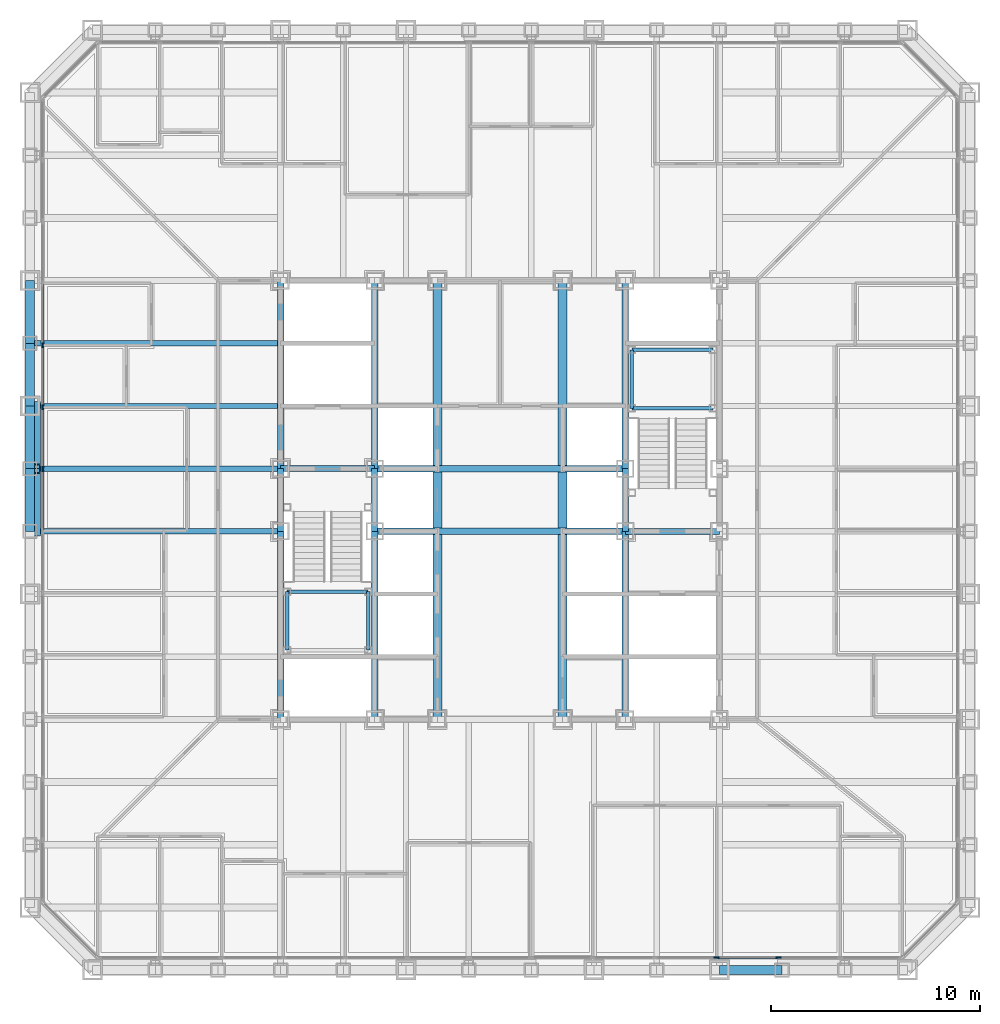
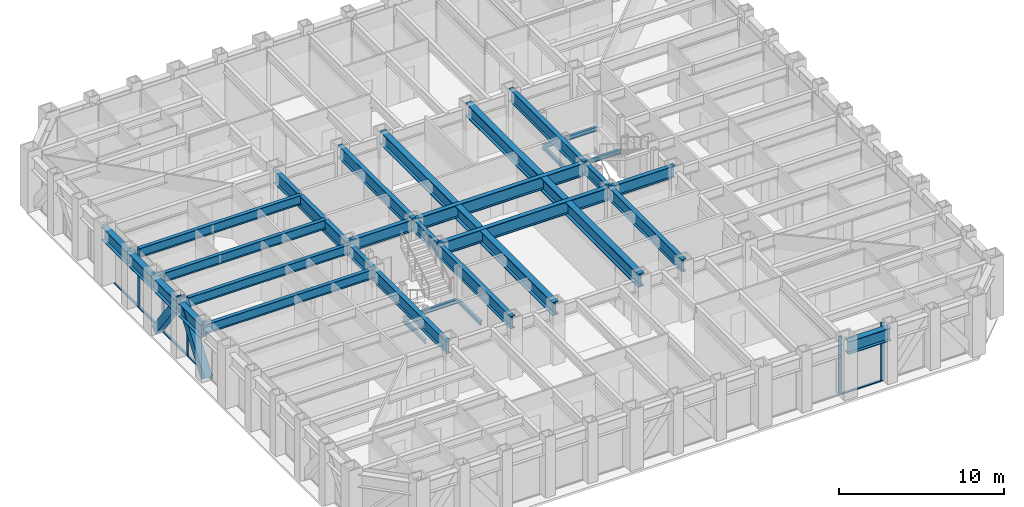
# One storey, part 3 of 17: 34 beams, 12 members, 2 elements without a shape of their own.
"""IFC4 building model written with IfcOpenShell, lengths in metres."""

from ifc_helpers import new_model, si_unit, direction, frame, origin, origin_2d, place, context, subcontext, project, spatial, rectangle, hollow_rectangle, i_section, extrude, material, layer, layer_set, material_profile, profile_set, type_object, element, aggregate, save


model = new_model("IFC4")

# Units and contexts
model_context = context("Model", 3, precision=1e-05, world=origin(), true_north=direction((0.0, 1.0)))
body_context = subcontext(model_context, "Body", "Model", "MODEL_VIEW")
ifc_project = project(units=[si_unit("LENGTHUNIT", "METRE"), si_unit("AREAUNIT", "SQUARE_METRE"), si_unit("VOLUMEUNIT", "CUBIC_METRE"), si_unit("PLANEANGLEUNIT", "RADIAN"), si_unit("MASSUNIT", "GRAM", prefix="KILO")], contexts=[model_context])

# Site, building, storey
site_placement = place(None, origin())
site = spatial("IfcSite", under=ifc_project, at=site_placement, CompositionType="ELEMENT")
building_placement = place(site_placement, origin())
building = spatial("IfcBuilding", under=site, at=building_placement, Name="Chuquiago Exchange Tower", CompositionType="ELEMENT")
storey_placement = place(building_placement, frame((0.0, 0.0, 42.300048828125)))
storey = spatial("IfcBuildingStorey", under=building, at=storey_placement, Name="L08", CompositionType="ELEMENT", Elevation=42.300048828125)

# Beams
ifc_material_1 = material(Name="Steel ASTM A992", Category="steel")
ifc_material_profile_1 = material_profile(ifc_material_1, i_section(OverallWidth=0.307373046875, OverallDepth=0.927001953125, WebThickness=0.01953125, FlangeThickness=0.031982421875, at=origin_2d()), Name="W36X194")
ifc_profile_set_1 = profile_set([ifc_material_profile_1], Name="Steel ASTM A992")
beam_type_1 = type_object("IfcBeamType", Name="B10 W36X194", PredefinedType="BEAM", material=ifc_profile_set_1)
for number, where, z_axis, x_axis, name in (
    (1, (12.0, 12.0, 3.576416015625), (0.0, 1.0, 0.0), (-1.0, 0.0, 0.0), "CB-L09-12_12-12_21"),
    (2, (12.0, 24.0, 3.576416015625), (0.0, 1.0, 0.0), (-1.0, 0.0, 0.0), "CB-L09-12_24-12_33"),
    (3, (16.5, 12.0, 3.87646484375), (0.0, 1.0, 0.0), (-1.0, 0.0, 0.0), "CB-L09-16.5_12-16.5_21"),
    (4, (16.5, 24.0, 3.87646484375), (0.0, 1.0, 0.0), (-1.0, 0.0, 0.0), "CB-L09-16.5_24-16.5_33"),
    (5, (28.5, 12.0, 3.87646484375), (0.0, 1.0, 0.0), (-1.0, 0.0, 0.0), "CB-L09-28.5_12-28.5_21"),
    (6, (28.5, 24.0, 3.87646484375), (0.0, 1.0, 0.0), (-1.0, 0.0, 0.0), "CB-L09-28.5_24-28.5_33"),
):
    element("IfcBeam", number, at=place(storey_placement, frame(where, z_axis=z_axis, x_axis=x_axis)), inside=storey, type_object=beam_type_1, Name=name, PredefinedType="BEAM", context=body_context, shape_type="SweptSolid", body=[
        extrude(i_section(OverallWidth=0.307373046875, OverallDepth=0.927001953125, WebThickness=0.01953125, FlangeThickness=0.031982421875, at=origin_2d()), origin(), (0.0, 0.0, 1.0), 9.0),
    ])
ifc_material_2 = material(Name="Steel ASTM A992", Category="steel")
ifc_material_profile_2 = material_profile(ifc_material_2, i_section(OverallWidth=0.309814453125, OverallDepth=0.949951171875, WebThickness=0.0244140625, FlangeThickness=0.0439453125, at=origin_2d()), Name="W36X256")
ifc_profile_set_2 = profile_set([ifc_material_profile_2], Name="Steel ASTM A992")
beam_type_2 = type_object("IfcBeamType", Name="B11 W36X256", PredefinedType="BEAM", material=ifc_profile_set_2)
for number, where, z_axis, x_axis, name in (
    (7, (16.5, 21.0, 3.864990234375), (1.0, 0.0, 0.0), (0.0, 1.0, 0.0), "CB-L09-16.5_21-28.5_21"),
    (8, (16.5, 24.0, 3.864990234375), (1.0, 0.0, 0.0), (0.0, 1.0, 0.0), "CB-L09-16.5_24-28.5_24"),
):
    element("IfcBeam", number, at=place(storey_placement, frame(where, z_axis=z_axis, x_axis=x_axis)), inside=storey, type_object=beam_type_2, Name=name, PredefinedType="BEAM", context=body_context, shape_type="SweptSolid", body=[
        extrude(i_section(OverallWidth=0.309814453125, OverallDepth=0.949951171875, WebThickness=0.0244140625, FlangeThickness=0.0439453125, at=origin_2d()), origin(), (0.0, 0.0, 1.0), 12.0),
    ])
ifc_material_3 = material(Name="Steel ASTM A992", Category="steel")
ifc_material_profile_3 = material_profile(ifc_material_3, i_section(OverallWidth=0.4267578125, OverallDepth=0.975341796875, WebThickness=0.031005859375, FlangeThickness=0.055908203125, at=origin_2d()), Name="W36X395")
ifc_profile_set_3 = profile_set([ifc_material_profile_3], Name="Steel ASTM A992")
beam_type_3 = type_object("IfcBeamType", Name="B12 W36X395", PredefinedType="BEAM", material=ifc_profile_set_3)
beam_1_placement = place(storey_placement, frame((19.5, 12.0, 3.852294921875), z_axis=(0.0, 1.0, 0.0), x_axis=(-1.0, 0.0, 0.0)))
element("IfcBeam", 9, at=beam_1_placement, inside=storey, type_object=beam_type_3, Name="CB-L09-19.5_12-19.5_20.8451", PredefinedType="BEAM", context=body_context, shape_type="SweptSolid", body=[
    extrude(i_section(OverallWidth=0.4267578125, OverallDepth=0.975341796875, WebThickness=0.031005859375, FlangeThickness=0.055908203125, at=origin_2d()), origin(), (0.0, 0.0, 1.0), 8.84521484375),
])
beam_2_placement = place(storey_placement, frame((19.5, 21.15478515625, 3.852294921875), z_axis=(0.0, 1.0, 0.0), x_axis=(-1.0, 0.0, 0.0)))
element("IfcBeam", 10, at=beam_2_placement, inside=storey, type_object=beam_type_3, Name="CB-L09-19.5_21.1549-19.5_23.8451", PredefinedType="BEAM", context=body_context, shape_type="SweptSolid", body=[
    extrude(i_section(OverallWidth=0.4267578125, OverallDepth=0.975341796875, WebThickness=0.031005859375, FlangeThickness=0.055908203125, at=origin_2d()), origin(), (0.0, 0.0, 1.0), 2.6904296875),
])
for number, where, z_axis, x_axis, name in (
    (11, (19.5, 24.15478515625, 3.852294921875), (0.0, 1.0, 0.0), (-1.0, 0.0, 0.0), "CB-L09-19.5_24.1549-19.5_33"),
    (12, (25.5, 12.0, 3.852294921875), (0.0, 1.0, 0.0), (-1.0, 0.0, 0.0), "CB-L09-25.5_12-25.5_20.8451"),
):
    element("IfcBeam", number, at=place(storey_placement, frame(where, z_axis=z_axis, x_axis=x_axis)), inside=storey, type_object=beam_type_3, Name=name, PredefinedType="BEAM", context=body_context, shape_type="SweptSolid", body=[
        extrude(i_section(OverallWidth=0.4267578125, OverallDepth=0.975341796875, WebThickness=0.031005859375, FlangeThickness=0.055908203125, at=origin_2d()), origin(), (0.0, 0.0, 1.0), 8.84521484375),
    ])
beam_3_placement = place(storey_placement, frame((25.5, 21.15478515625, 3.852294921875), z_axis=(0.0, 1.0, 0.0), x_axis=(-1.0, 0.0, 0.0)))
element("IfcBeam", 13, at=beam_3_placement, inside=storey, type_object=beam_type_3, Name="CB-L09-25.5_21.1549-25.5_23.8451", PredefinedType="BEAM", context=body_context, shape_type="SweptSolid", body=[
    extrude(i_section(OverallWidth=0.4267578125, OverallDepth=0.975341796875, WebThickness=0.031005859375, FlangeThickness=0.055908203125, at=origin_2d()), origin(), (0.0, 0.0, 1.0), 2.6904296875),
])
beam_4_placement = place(storey_placement, frame((25.5, 24.15478515625, 3.852294921875), z_axis=(0.0, 1.0, 0.0), x_axis=(-1.0, 0.0, 0.0)))
element("IfcBeam", 14, at=beam_4_placement, inside=storey, type_object=beam_type_3, Name="CB-L09-25.5_24.1549-25.5_33", PredefinedType="BEAM", context=body_context, shape_type="SweptSolid", body=[
    extrude(i_section(OverallWidth=0.4267578125, OverallDepth=0.975341796875, WebThickness=0.031005859375, FlangeThickness=0.055908203125, at=origin_2d()), origin(), (0.0, 0.0, 1.0), 8.84521484375),
])
ifc_material_4 = material(Name="Steel ASTM A992", Category="steel")
ifc_material_profile_4 = material_profile(ifc_material_4, i_section(OverallWidth=0.2919921875, OverallDepth=0.8583984375, WebThickness=0.01708984375, FlangeThickness=0.031005859375, at=origin_2d()), Name="W33X169")
ifc_profile_set_4 = profile_set([ifc_material_profile_4], Name="Steel ASTM A992")
beam_type_4 = type_object("IfcBeamType", Name="B3 W33X169", PredefinedType="BEAM", material=ifc_profile_set_4)
for number, where, z_axis, x_axis, name in (
    (15, (12.0, 21.0, 3.610595703125), (0.0, 1.0, 0.0), (-1.0, 0.0, 0.0), "CB-L09-12_21-12_24"),
    (16, (16.5, 21.0, 3.91064453125), (0.0, 1.0, 0.0), (-1.0, 0.0, 0.0), "CB-L09-16.5_21-16.5_24"),
    (17, (28.5, 21.0, 3.91064453125), (0.0, 1.0, 0.0), (-1.0, 0.0, 0.0), "CB-L09-28.5_21-28.5_24"),
):
    element("IfcBeam", number, at=place(storey_placement, frame(where, z_axis=z_axis, x_axis=x_axis)), inside=storey, type_object=beam_type_4, Name=name, PredefinedType="BEAM", context=body_context, shape_type="SweptSolid", body=[
        extrude(i_section(OverallWidth=0.2919921875, OverallDepth=0.8583984375, WebThickness=0.01708984375, FlangeThickness=0.031005859375, at=origin_2d()), origin(), (0.0, 0.0, 1.0), 3.0),
    ])
for number, where, z_axis, x_axis, name in (
    (18, (28.5, 21.0, 3.91064453125), (1.0, 0.0, 0.0), (0.0, 1.0, 0.0), "CB-L09-28.5_21-33_21"),
    (19, (12.0, 24.0, 3.91064453125), (1.0, 0.0, 0.0), (0.0, 1.0, 0.0), "CB-L09-12_24-16.5_24"),
):
    element("IfcBeam", number, at=place(storey_placement, frame(where, z_axis=z_axis, x_axis=x_axis)), inside=storey, type_object=beam_type_4, Name=name, PredefinedType="BEAM", context=body_context, shape_type="SweptSolid", body=[
        extrude(i_section(OverallWidth=0.2919921875, OverallDepth=0.8583984375, WebThickness=0.01708984375, FlangeThickness=0.031005859375, at=origin_2d()), origin(), (0.0, 0.0, 1.0), 4.5),
    ])
ifc_material_5 = material(Name="Steel ASTM A992", Category="steel")
ifc_material_profile_5 = material_profile(ifc_material_5, i_section(OverallWidth=0.256591796875, OverallDepth=0.693359375, WebThickness=0.014404296875, FlangeThickness=0.023681640625, at=origin_2d()), Name="W27X114")
ifc_profile_set_5 = profile_set([ifc_material_profile_5], Name="Steel ASTM A992")
beam_type_5 = type_object("IfcBeamType", Name="B4 W27X114", PredefinedType="BEAM", material=ifc_profile_set_5)
for number, where, z_axis, x_axis, name in (
    (20, (12.0, 21.0, 3.693359375), (-1.0, 0.0, 0.0), (0.0, -1.0, 0.0), "FB-L09-infill-12_21--0_21-0"),
    (21, (12.0, 24.0, 3.693359375), (-1.0, 0.0, 0.0), (0.0, -1.0, 0.0), "FB-L09-infill-12_24--0_24-0"),
    (22, (12.0, 27.0, 3.693359375), (-1.0, 0.0, 0.0), (0.0, -1.0, 0.0), "FB-L09-infill-12_27--0_27-0"),
    (23, (12.0, 30.0, 3.693359375), (-1.0, 0.0, 0.0), (0.0, -1.0, 0.0), "FB-L09-infill-12_30--0_30-0"),
):
    element("IfcBeam", number, at=place(storey_placement, frame(where, z_axis=z_axis, x_axis=x_axis)), inside=storey, type_object=beam_type_5, Name=name, PredefinedType="BEAM", context=body_context, shape_type="SweptSolid", body=[
        extrude(i_section(OverallWidth=0.256591796875, OverallDepth=0.693359375, WebThickness=0.014404296875, FlangeThickness=0.023681640625, at=origin_2d()), origin(), (0.0, 0.0, 1.0), 12.0),
    ])

# Curtain wall, members
ifc_material_6 = material(Name="Aluminium curtain wall system", Category="aluminium")
ifc_layer = layer(ifc_material_6, 0.25)
ifc_layer_set = layer_set([ifc_layer], Name="CW1 trading floor curtain wall")
curtain_wall_type = type_object("IfcCurtainWallType", Name="CW1 trading floor curtain wall", PredefinedType="NOTDEFINED", material=ifc_layer_set)
curtain_wall_1_placement = place(storey_placement, origin())
curtain_wall_1 = element("IfcCurtainWall", 24, at=curtain_wall_1_placement, inside=storey, type_object=curtain_wall_type, Name="CW1 curtain wall L08", PredefinedType="NOTDEFINED")
ifc_material_7 = material(Name="Aluminium mullion, pale anodised", Category="aluminium")
ifc_material_profile_6 = material_profile(ifc_material_7, rectangle(XDim=0.074951171875, YDim=0.25, at=origin_2d()), Name="AL 75x250")
ifc_profile_set_6 = profile_set([ifc_material_profile_6], Name="Aluminium mullion, pale anodised")
member_type_1 = type_object("IfcMemberType", Name="CW1-M mullion 75x250", PredefinedType="MULLION", material=ifc_profile_set_6)
member_1_placement = place(storey_placement, frame((32.8662109375, 0.60009765625, -0.300048828125), z_axis=(0.0, 0.0, 1.0), x_axis=(0.0, 1.0, 0.0)))
member_1 = element("IfcMember", 25, at=member_1_placement, type_object=member_type_1, Name="CW1 mullion 11", PredefinedType="MULLION", context=body_context, shape_type="SweptSolid", body=[
    extrude(rectangle(XDim=0.074951171875, YDim=0.25, at=origin_2d()), origin(), (0.0, 0.0, 1.0), 4.340087890625),
])
member_2_placement = place(storey_placement, frame((35.827880859375, 0.60009765625, -0.300048828125), z_axis=(0.0, 0.0, 1.0), x_axis=(0.0, 1.0, 0.0)))
member_2 = element("IfcMember", 26, at=member_2_placement, type_object=member_type_1, Name="CW1 mullion 12", PredefinedType="MULLION", context=body_context, shape_type="SweptSolid", body=[
    extrude(rectangle(XDim=0.074951171875, YDim=0.25, at=origin_2d()), origin(), (0.0, 0.0, 1.0), 4.340087890625),
])

curtain_wall_2_placement = place(storey_placement, origin())
curtain_wall_2 = element("IfcCurtainWall", 27, at=curtain_wall_2_placement, inside=storey, type_object=curtain_wall_type, Name="CW1 curtain wall L08", PredefinedType="NOTDEFINED")
member_3_placement = place(storey_placement, frame((0.60009765625, 29.904541015625, -0.300048828125), z_axis=(0.0, 0.0, 1.0), x_axis=(1.0, 0.0, 0.0)))
member_3 = element("IfcMember", 28, at=member_3_placement, type_object=member_type_1, Name="CW1 mullion 5", PredefinedType="MULLION", context=body_context, shape_type="SweptSolid", body=[
    extrude(rectangle(XDim=0.074951171875, YDim=0.25, at=origin_2d()), origin(), (0.0, 0.0, 1.0), 4.340087890625),
])
member_4_placement = place(storey_placement, frame((0.60009765625, 26.942626953125, -0.300048828125), z_axis=(0.0, 0.0, 1.0), x_axis=(1.0, 0.0, 0.0)))
member_4 = element("IfcMember", 29, at=member_4_placement, type_object=member_type_1, Name="CW1 mullion 6", PredefinedType="MULLION", context=body_context, shape_type="SweptSolid", body=[
    extrude(rectangle(XDim=0.074951171875, YDim=0.25, at=origin_2d()), origin(), (0.0, 0.0, 1.0), 4.340087890625),
])
member_5_placement = place(storey_placement, frame((0.60009765625, 23.98095703125, -0.300048828125), z_axis=(0.0, 0.0, 1.0), x_axis=(1.0, 0.0, 0.0)))
member_5 = element("IfcMember", 30, at=member_5_placement, type_object=member_type_1, Name="CW1 mullion 7", PredefinedType="MULLION", context=body_context, shape_type="SweptSolid", body=[
    extrude(rectangle(XDim=0.074951171875, YDim=0.25, at=origin_2d()), origin(), (0.0, 0.0, 1.0), 4.340087890625),
])

# Member
ifc_material_8 = material(Name="Aluminium transom, pale anodised", Category="aluminium")
ifc_material_profile_7 = material_profile(ifc_material_8, rectangle(XDim=0.14990234375, YDim=0.074951171875, at=origin_2d()), Name="AL 150x75")
ifc_profile_set_7 = profile_set([ifc_material_profile_7], Name="Aluminium transom, pale anodised")
member_type_2 = type_object("IfcMemberType", Name="CW1-T transom 75x150", PredefinedType="MULLION", material=ifc_profile_set_7)
member_6_placement = place(storey_placement, frame((32.90380859375, 0.60009765625, -0.262451171875), z_axis=(1.0, 0.0, 0.0), x_axis=(0.0, 1.0, 0.0)))
member_6 = element("IfcMember", 31, at=member_6_placement, type_object=member_type_2, Name="CW1 transom 11.1", PredefinedType="MULLION", context=body_context, shape_type="SweptSolid", body=[
    extrude(rectangle(XDim=0.14990234375, YDim=0.074951171875, at=origin_2d()), origin(), (0.0, 0.0, 1.0), 2.88671875),
])

aggregate(curtain_wall_1, [member_1, member_2, member_6])

member_7_placement = place(storey_placement, frame((0.60009765625, 32.82861328125, -0.262451171875), z_axis=(0.0, -1.0, 0.0), x_axis=(1.0, 0.0, 0.0)))
member_7 = element("IfcMember", 32, at=member_7_placement, type_object=member_type_2, Name="CW1 transom 4.1", PredefinedType="MULLION", context=body_context, shape_type="SweptSolid", body=[
    extrude(rectangle(XDim=0.14990234375, YDim=0.074951171875, at=origin_2d()), origin(), (0.0, 0.0, 1.0), 2.88671875),
])

member_8_placement = place(storey_placement, frame((0.60009765625, 29.866943359375, -0.262451171875), z_axis=(0.0, -1.0, 0.0), x_axis=(1.0, 0.0, 0.0)))
member_8 = element("IfcMember", 33, at=member_8_placement, type_object=member_type_2, Name="CW1 transom 5.1", PredefinedType="MULLION", context=body_context, shape_type="SweptSolid", body=[
    extrude(rectangle(XDim=0.14990234375, YDim=0.074951171875, at=origin_2d()), origin(), (0.0, 0.0, 1.0), 2.88671875),
])

member_9_placement = place(storey_placement, frame((0.60009765625, 26.9052734375, -0.262451171875), z_axis=(0.0, -1.0, 0.0), x_axis=(1.0, 0.0, 0.0)))
member_9 = element("IfcMember", 34, at=member_9_placement, type_object=member_type_2, Name="CW1 transom 6.1", PredefinedType="MULLION", context=body_context, shape_type="SweptSolid", body=[
    extrude(rectangle(XDim=0.14990234375, YDim=0.074951171875, at=origin_2d()), origin(), (0.0, 0.0, 1.0), 2.886962890625),
])

member_10_placement = place(storey_placement, frame((0.60009765625, 23.943359375, -0.262451171875), z_axis=(0.0, -1.0, 0.0), x_axis=(1.0, 0.0, 0.0)))
member_10 = element("IfcMember", 35, at=member_10_placement, type_object=member_type_2, Name="CW1 transom 7.1", PredefinedType="MULLION", context=body_context, shape_type="SweptSolid", body=[
    extrude(rectangle(XDim=0.14990234375, YDim=0.074951171875, at=origin_2d()), origin(), (0.0, 0.0, 1.0), 2.88671875),
])

aggregate(curtain_wall_2, [member_3, member_4, member_5, member_7, member_8, member_9, member_10])

# Beams
ifc_material_9 = material(Name="Steel ASTM A992", Category="steel")
ifc_material_profile_8 = material_profile(ifc_material_9, i_section(OverallWidth=0.164794921875, OverallDepth=0.309814453125, WebThickness=0.005859375, FlangeThickness=0.009765625, at=origin_2d()), Name="W12X26")
ifc_profile_set_8 = profile_set([ifc_material_profile_8], Name="Steel ASTM A992")
beam_type_6 = type_object("IfcBeamType", Name="LS1 W12X26", PredefinedType="BEAM", material=ifc_profile_set_8)
for number, where, z_axis, x_axis, name in (
    (36, (12.31005859375, 15.31005859375, 1.89501953125), (0.0, 1.0, 0.0), (-1.0, 0.0, 0.0), "Stair ST1 L08 landing 1 stringer"),
    (37, (16.18994140625, 15.31005859375, 1.89501953125), (0.0, 1.0, 0.0), (-1.0, 0.0, 0.0), "Stair ST1 L08 landing 1 stringer"),
    (38, (28.81005859375, 26.889892578125, 1.89501953125), (0.0, 1.0, 0.0), (-1.0, 0.0, 0.0), "Stair ST2 L08 landing 1 stringer"),
):
    element("IfcBeam", number, at=place(storey_placement, frame(where, z_axis=z_axis, x_axis=x_axis)), inside=storey, type_object=beam_type_6, Name=name, PredefinedType="BEAM", context=body_context, shape_type="SweptSolid", body=[
        extrude(i_section(OverallWidth=0.164794921875, OverallDepth=0.309814453125, WebThickness=0.005859375, FlangeThickness=0.009765625, at=origin_2d()), origin(), (0.0, 0.0, 1.0), 2.800048828125),
    ])
ifc_material_10 = material(Name="Steel ASTM A992", Category="steel")
ifc_material_profile_9 = material_profile(ifc_material_10, i_section(OverallWidth=0.164794921875, OverallDepth=0.309814453125, WebThickness=0.005859375, FlangeThickness=0.009765625, at=origin_2d()), Name="W12X26")
ifc_profile_set_9 = profile_set([ifc_material_profile_9], Name="Steel ASTM A992")
beam_type_7 = type_object("IfcBeamType", Name="LT1 W12X26", PredefinedType="BEAM", material=ifc_profile_set_9)
for number, where, z_axis, x_axis, name in (
    (39, (12.31005859375, 18.110107421875, 1.89501953125), (1.0, 0.0, 0.0), (0.0, 1.0, 0.0), "Stair ST1 L08 landing 1 trimmer"),
    (40, (28.81005859375, 29.68994140625, 1.89501953125), (1.0, 0.0, 0.0), (0.0, 1.0, 0.0), "Stair ST2 L08 landing 1 trimmer"),
    (41, (28.81005859375, 26.889892578125, 1.89501953125), (1.0, 0.0, 0.0), (0.0, 1.0, 0.0), "Stair ST2 L08 landing 1 trimmer"),
):
    element("IfcBeam", number, at=place(storey_placement, frame(where, z_axis=z_axis, x_axis=x_axis)), inside=storey, type_object=beam_type_7, Name=name, PredefinedType="BEAM", context=body_context, shape_type="SweptSolid", body=[
        extrude(i_section(OverallWidth=0.164794921875, OverallDepth=0.309814453125, WebThickness=0.005859375, FlangeThickness=0.009765625, at=origin_2d()), origin(), (0.0, 0.0, 1.0), 3.8798828125),
    ])

# Members
ifc_material_11 = material(Name="Steel ASTM A572 Grade 50", Category="steel")
ifc_material_profile_10 = material_profile(ifc_material_11, hollow_rectangle(XDim=0.550048828125, YDim=0.550048828125, WallThickness=0.044921875, at=origin_2d()), Name="BOX550X550X45")
ifc_profile_set_10 = profile_set([ifc_material_profile_10], Name="Steel ASTM A572 Grade 50")
member_type_3 = type_object("IfcMemberType", Name="MB1 BOX550X550X45", PredefinedType="BRACE", material=ifc_profile_set_10)
for number, where, z_axis, x_axis, name in (
    (42, (0.22998046875, 27.0, 0.0), (0.0, -0.596173923302, 0.802855312728), (1.0, 0.0, 0.0), "Mega diagonal L08 W face"),
    (43, (0.22998046875, 21.0, 0.0), (0.0, 0.596173923302, 0.802855312728), (-1.0, 0.0, 0.0), "Mega diagonal L08 W face"),
):
    element("IfcMember", number, at=place(storey_placement, frame(where, z_axis=z_axis, x_axis=x_axis)), inside=storey, type_object=member_type_3, Name=name, PredefinedType="BRACE", context=body_context, shape_type="SweptSolid", body=[
        extrude(hollow_rectangle(XDim=0.550048828125, YDim=0.550048828125, WallThickness=0.044921875, at=origin_2d()), origin(), (0.0, 0.0, 1.0), 5.031982421875),
    ])

# Beams
ifc_material_12 = material(Name="Steel ASTM A992", Category="steel")
ifc_material_profile_11 = material_profile(ifc_material_12, i_section(OverallWidth=0.424072265625, OverallDepth=0.947509765625, WebThickness=0.02392578125, FlangeThickness=0.042724609375, at=origin_2d()), Name="W36X302")
ifc_profile_set_11 = profile_set([ifc_material_profile_11], Name="Steel ASTM A992")
beam_type_8 = type_object("IfcBeamType", Name="SP1 W36X302", PredefinedType="SPANDREL", material=ifc_profile_set_11)
for number, where, z_axis, x_axis, name in (
    (44, (33.0, 0.0, 3.566162109375), (1.0, 0.0, 0.0), (0.0, 1.0, 0.0), "SPB-L09-33_0-36_0"),
    (45, (0.0, 33.0, 3.566162109375), (0.0, -1.0, 0.0), (1.0, 0.0, 0.0), "SPB-L09-0_33-0_30"),
    (46, (0.0, 30.0, 3.566162109375), (0.0, -1.0, 0.0), (1.0, 0.0, 0.0), "SPB-L09-0_30-0_27"),
    (47, (0.0, 27.0, 3.566162109375), (0.0, -1.0, 0.0), (1.0, 0.0, 0.0), "SPB-L09-0_27-0_24"),
    (48, (0.0, 24.0, 3.566162109375), (0.0, -1.0, 0.0), (1.0, 0.0, 0.0), "SPB-L09-0_24-0_21"),
):
    element("IfcBeam", number, at=place(storey_placement, frame(where, z_axis=z_axis, x_axis=x_axis)), inside=storey, type_object=beam_type_8, Name=name, PredefinedType="SPANDREL", context=body_context, shape_type="SweptSolid", body=[
        extrude(i_section(OverallWidth=0.424072265625, OverallDepth=0.947509765625, WebThickness=0.02392578125, FlangeThickness=0.042724609375, at=origin_2d()), origin(), (0.0, 0.0, 1.0), 3.0),
    ])

save(model, "model.ifc")
